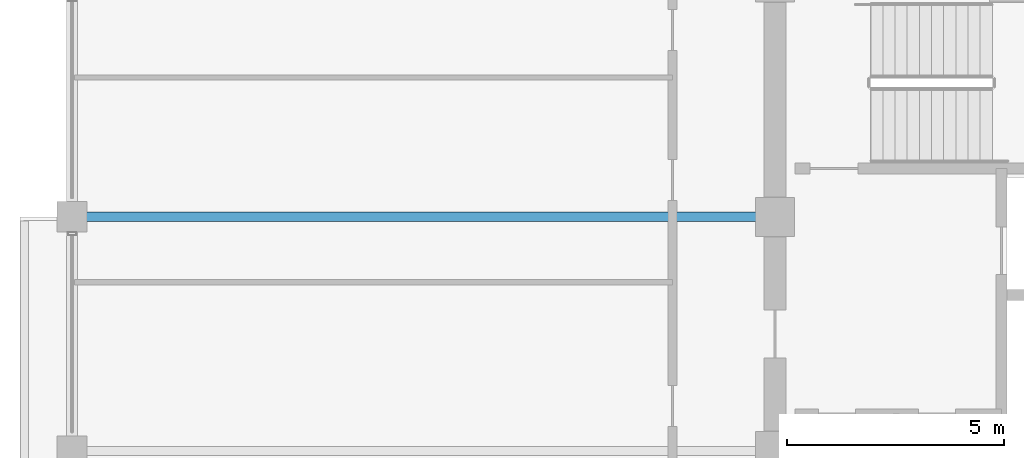
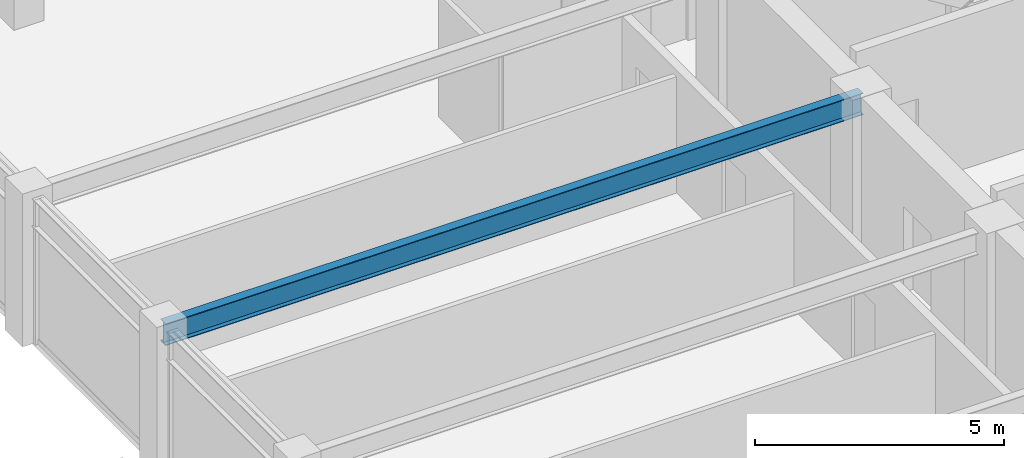
# One storey, part 11 of 30: 1 beam.
"""IFC4 building model written with IfcOpenShell, lengths in metres."""

import ifcopenshell
import ifcopenshell.guid

model = None  # the IFC model being written
_history = None  # IfcOwnerHistory: only IFC2X3 demands one
_inside = {}  # id of a spatial element -> (the spatial element, [elements in it])
_under = {}  # id of a project, library or spatial element -> (it, [spatial elements below it])
_declared = {}  # id of a project -> (the project, [libraries it declares])
_typed = {}  # id of a type object -> (the type object, [elements of that type])
_made_of = {}  # id of a material, layer set ... -> (it, [elements and type objects made of it])


def new_model(schema):
    """Start an empty IFC model of exactly this schema.

    Asked for "IFC4X3", IfcOpenShell would pick the latest addendum, in which some entities
    have other attributes; the version numbers below select the first issue.
    IFC2X3 requires an IfcOwnerHistory on every rooted entity: one is made here for all.
    """
    global model, _history
    if schema == "IFC4X3":
        model = ifcopenshell.file(schema_version=(4, 3, 0, 0))
    else:
        model = ifcopenshell.file(schema=schema)
    _inside.clear()
    _under.clear()
    _declared.clear()
    _typed.clear()
    _made_of.clear()
    _history = None
    if model.schema == "IFC2X3":
        org = make("IfcOrganization", Name="unknown")
        user = make(
            "IfcPersonAndOrganization",
            ThePerson=make("IfcPerson", FamilyName="unknown"),
            TheOrganization=org,
        )
        app = make(
            "IfcApplication",
            ApplicationDeveloper=org,
            Version="unknown",
            ApplicationFullName="unknown",
            ApplicationIdentifier="unknown",
        )
        _history = make(
            "IfcOwnerHistory",
            OwningUser=user,
            OwningApplication=app,
            ChangeAction="ADDED",
            CreationDate=0,
        )
    return model


def make(cls, **values):
    """One entity of the class cls with the attributes given. An attribute that is None is left unset."""
    return model.create_entity(
        cls, **{name: value for name, value in values.items() if value is not None}
    )


def rooted(cls, **values):
    """An entity with a GlobalId (a new one), such as an element, a storey or a relation."""
    return make(cls, GlobalId=ifcopenshell.guid.new(), OwnerHistory=_history, **values)


def si_unit(unit_type, name, prefix=None):
    """IfcSIUnit, for example si_unit("LENGTHUNIT", "METRE", prefix="MILLI")."""
    return make("IfcSIUnit", UnitType=unit_type, Prefix=prefix, Name=name)


def assignment(units):
    """IfcUnitAssignment: the units of a project."""
    return None if units is None else make("IfcUnitAssignment", Units=units)


def point(xyz):
    """IfcCartesianPoint."""
    return None if xyz is None else make("IfcCartesianPoint", Coordinates=xyz)


def direction(xyz):
    """IfcDirection."""
    return None if xyz is None else make("IfcDirection", DirectionRatios=xyz)


def frame(location, z_axis=None, x_axis=None):
    """IfcAxis2Placement3D, a coordinate frame: its origin and axes. An axis left out is left unset."""
    return make(
        "IfcAxis2Placement3D",
        Location=point(location),
        Axis=direction(z_axis),
        RefDirection=direction(x_axis),
    )


def frame_2d(location, x_axis=None):
    """IfcAxis2Placement2D, a coordinate frame in the plane: its origin and x axis."""
    return make(
        "IfcAxis2Placement2D", Location=point(location), RefDirection=direction(x_axis)
    )


def origin():
    """The frame at (0, 0, 0) with its axes left unset."""
    return frame((0.0, 0.0, 0.0))


def origin_2d():
    """The frame at (0, 0) in the plane with its x axis left unset."""
    return frame_2d((0.0, 0.0))


def place(relative_to, where):
    """IfcLocalPlacement: puts the frame where relative to a parent placement (None: the world)."""
    return make(
        "IfcLocalPlacement", PlacementRelTo=relative_to, RelativePlacement=where
    )


def context(
    kind, dimensions, precision=None, world=None, true_north=None, identifier=None
):
    """IfcGeometricRepresentationContext, for example the 3D "Model" context."""
    return make(
        "IfcGeometricRepresentationContext",
        ContextIdentifier=identifier,
        ContextType=kind,
        CoordinateSpaceDimension=dimensions,
        Precision=precision,
        WorldCoordinateSystem=world,
        TrueNorth=true_north,
    )


def subcontext(parent, identifier, kind, view, scale=None):
    """IfcGeometricRepresentationSubContext, for example "Body" below "Model"."""
    return make(
        "IfcGeometricRepresentationSubContext",
        ContextIdentifier=identifier,
        ContextType=kind,
        ParentContext=parent,
        TargetScale=scale,
        TargetView=view,
    )


def project(units=None, contexts=None):
    """IfcProject with its units and contexts."""
    return rooted(
        "IfcProject",
        Name="project",
        RepresentationContexts=contexts,
        UnitsInContext=assignment(units),
    )


def spatial(cls, under=None, at=None, **own):
    """A site, building, storey or space (cls), placed at a placement, below another one or the project."""
    s = rooted(cls, ObjectPlacement=at, **own)
    if under is not None:
        _under.setdefault(under.id(), (under, []))[1].append(s)
    return s


def profile(cls, at=None, kind="AREA", **sizes):
    """A parametric profile (cls). Its sizes go by their IFC names, for example OverallWidth=200.0."""
    return make(cls, ProfileType=kind, Position=at, **sizes)


def i_section(**sizes):
    """IfcIShapeProfileDef."""
    return profile("IfcIShapeProfileDef", **sizes)


def extrude(swept, where, along, depth):
    """IfcExtrudedAreaSolid: the profile swept, set in the frame where, extruded along a direction by depth."""
    return make(
        "IfcExtrudedAreaSolid",
        SweptArea=swept,
        Position=where,
        ExtrudedDirection=direction(along),
        Depth=depth,
    )


def shape(context_of_items, identifier, shape_type, items):
    """IfcShapeRepresentation: the items that make up one representation, for example the "Body"."""
    return make(
        "IfcShapeRepresentation",
        ContextOfItems=context_of_items,
        RepresentationIdentifier=identifier,
        RepresentationType=shape_type,
        Items=items,
    )


def material(Name=None, Category=None):
    """IfcMaterial."""
    return make("IfcMaterial", Name=Name, Category=Category)


def material_profile(
    of_material, cross_section, Name=None, Category=None, Priority=None
):
    """IfcMaterialProfile: a cross section and its material."""
    return make(
        "IfcMaterialProfile",
        Name=Name,
        Material=of_material,
        Profile=cross_section,
        Priority=Priority,
        Category=Category,
    )


def profile_set(profiles, Name=None, composite=None):
    """IfcMaterialProfileSet."""
    return make(
        "IfcMaterialProfileSet",
        Name=Name,
        MaterialProfiles=profiles,
        CompositeProfile=composite,
    )


def made_of(thing, what):
    """Note that an element or type object is made of a material, layer set ...; save() writes the relation."""
    if what is not None:
        _made_of.setdefault(what.id(), (what, []))[1].append(thing)
    return thing


def type_object(cls, material=None, **own):
    """A type object (cls), such as IfcWallType, which elements share."""
    return made_of(rooted(cls, **own), material)


def element(
    cls,
    number,
    at=None,
    inside=None,
    cuts=None,
    type_object=None,
    material=None,
    context=None,
    identifier="Body",
    shape_type=None,
    held_by="IfcProductDefinitionShape",
    body=None,
    shapes=None,
    **own,
):
    """One element of the class cls, such as IfcWall. Its Tag is "e" and its number.

    at: its placement. inside: the storey or other place that contains it. cuts: it is an
    opening in that element (IfcRelVoidsElement). A single representation is given by context,
    identifier, shape_type and body (its items); several are given by shapes. held_by: the class
    of the entity that holds the representations. save() writes the other relations.
    """
    e = rooted(cls, Tag="e%d" % number, ObjectPlacement=at, **own)
    if body is not None:
        shapes = [shape(context, identifier, shape_type, body)]
    if shapes is not None:
        e.Representation = make(held_by, Representations=shapes)
    if inside is not None:
        _inside.setdefault(inside.id(), (inside, []))[1].append(e)
    if cuts is not None:
        rooted(
            "IfcRelVoidsElement", RelatingBuildingElement=cuts, RelatedOpeningElement=e
        )
    if type_object is not None:
        _typed.setdefault(type_object.id(), (type_object, []))[1].append(e)
    return made_of(e, material)


def aggregate(whole, parts):
    """IfcRelAggregates: a whole, such as a stair, and the parts it consists of."""
    return rooted("IfcRelAggregates", RelatingObject=whole, RelatedObjects=parts)


def save(model, path):
    """Write the relations noted so far, then the file.

    IfcRelAggregates (storeys below a building ...), IfcRelContainedInSpatialStructure (elements
    in a storey), IfcRelDefinesByType, IfcRelAssociatesMaterial and IfcRelDeclares: one each for
    every whole, place, type object, material and project.
    """
    for whole, parts in _under.values():
        aggregate(whole, parts)
    for where, things in _inside.values():
        rooted(
            "IfcRelContainedInSpatialStructure",
            RelatedElements=things,
            RelatingStructure=where,
        )
    for kind, things in _typed.values():
        rooted("IfcRelDefinesByType", RelatedObjects=things, RelatingType=kind)
    for what, things in _made_of.values():
        rooted("IfcRelAssociatesMaterial", RelatedObjects=things, RelatingMaterial=what)
    for by, libraries in _declared.values():
        rooted("IfcRelDeclares", RelatingContext=by, RelatedDefinitions=libraries)
    model.write(path)


model = new_model("IFC4")

# Units and contexts
model_context = context("Model", 3, precision=1e-05, world=origin(), true_north=direction((0.0, 1.0)))
body_context = subcontext(model_context, "Body", "Model", "MODEL_VIEW")
ifc_project = project(units=[si_unit("LENGTHUNIT", "METRE"), si_unit("AREAUNIT", "SQUARE_METRE"), si_unit("VOLUMEUNIT", "CUBIC_METRE"), si_unit("PLANEANGLEUNIT", "RADIAN"), si_unit("MASSUNIT", "GRAM", prefix="KILO")], contexts=[model_context])

# Site, building, storey
site_placement = place(None, origin())
site = spatial("IfcSite", under=ifc_project, at=site_placement, CompositionType="ELEMENT")
building_placement = place(site_placement, origin())
building = spatial("IfcBuilding", under=site, at=building_placement, Name="Surkhivell Harbour Commons", CompositionType="ELEMENT")
storey_placement = place(building_placement, frame((0.0, 0.0, 281.25)))
storey = spatial("IfcBuildingStorey", under=building, at=storey_placement, Name="L73", CompositionType="ELEMENT", Elevation=281.25)

# Beam
ifc_material = material(Name="Steel S355", Category="steel")
ifc_material_profile = material_profile(ifc_material, i_section(OverallWidth=0.2099609375, OverallDepth=0.537109375, WebThickness=0.0107421875, FlangeThickness=0.017333984375, at=origin_2d()), Name="UB533x210x101")
ifc_profile_set = profile_set([ifc_material_profile], Name="Steel S355")
beam_type = type_object("IfcBeamType", Name="BM-GRD-533B", PredefinedType="BEAM", material=ifc_profile_set)
beam_placement = place(storey_placement, frame((-27.0, 5.39990234375, 3.301513671875), z_axis=(1.0, 0.0, 0.0), x_axis=(0.0, 1.0, 0.0)))
element("IfcBeam", 1, at=beam_placement, inside=storey, type_object=beam_type, Name="L73 Floor Girder (-27.0,5.4)", PredefinedType="BEAM", context=body_context, shape_type="SweptSolid", body=[
    extrude(i_section(OverallWidth=0.2099609375, OverallDepth=0.537109375, WebThickness=0.0107421875, FlangeThickness=0.017333984375, at=origin_2d()), origin(), (0.0, 0.0, 1.0), 16.199951171875),
])

save(model, "model.ifc")
